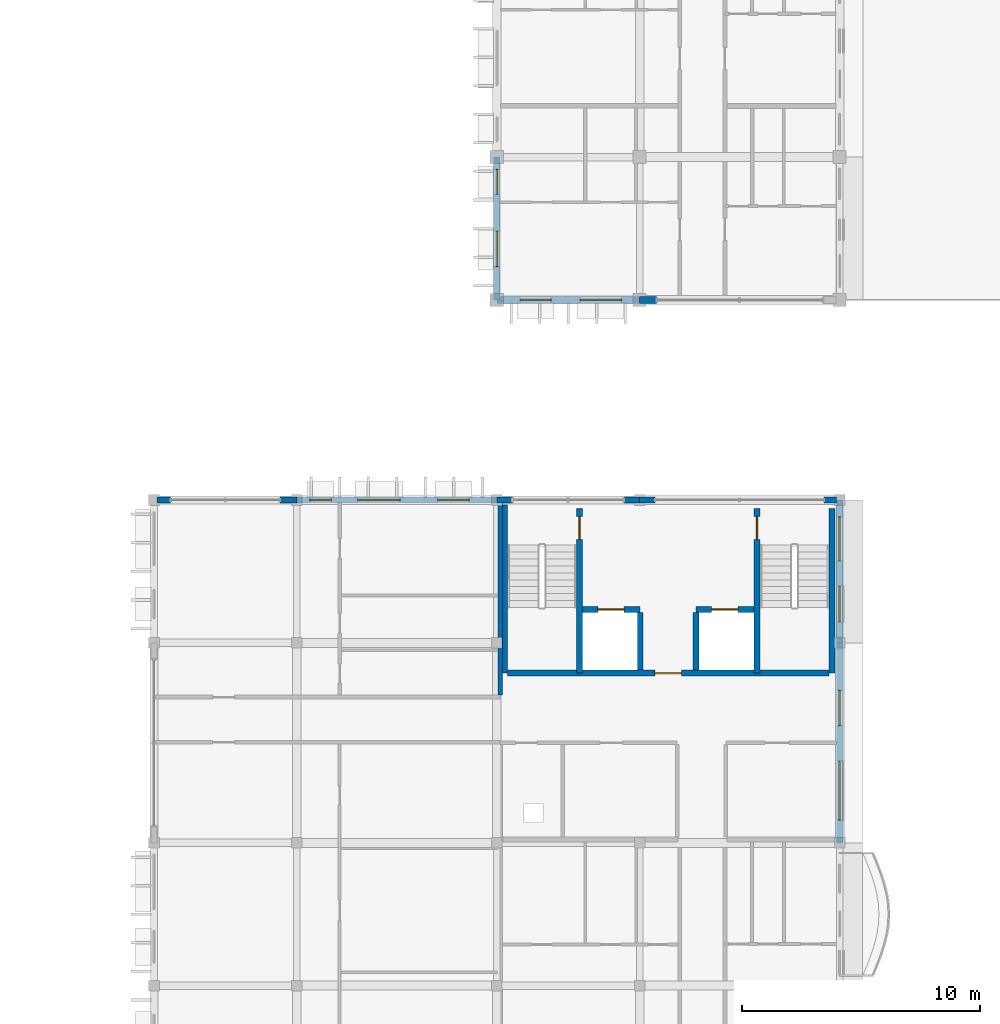
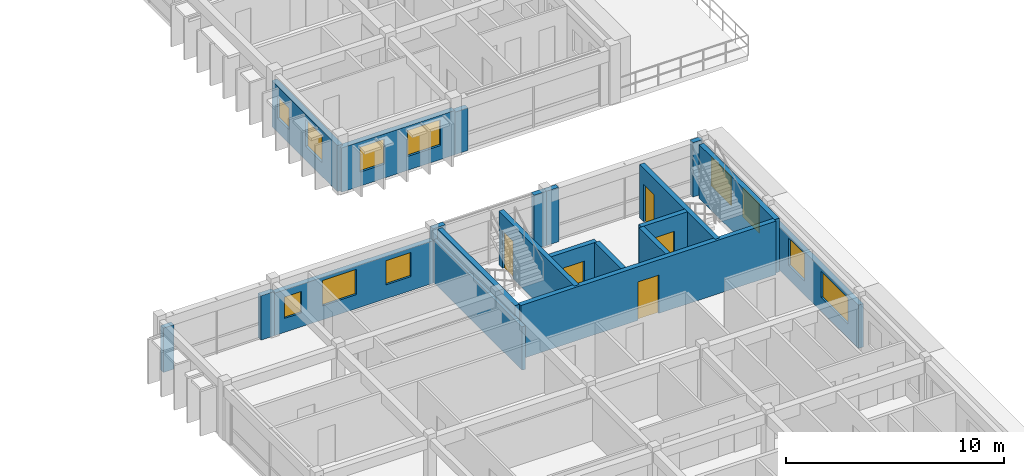
# One storey, part 41 of 68: 22 walls, 11 windows, 5 doors, 16 openings.
"""IFC4 building model written with IfcOpenShell, lengths in metres."""

from ifc_helpers import new_model, si_unit, direction, frame, frame_2d, origin, place, context, subcontext, project, spatial, rectangle, extrude, material, layer, layer_set, type_object, element, fill, save


model = new_model("IFC4")

# Units and contexts
model_context = context("Model", 3, precision=1e-05, world=origin(), true_north=direction((0.0, 1.0)))
body_context = subcontext(model_context, "Body", "Model", "MODEL_VIEW")
ifc_project = project(units=[si_unit("LENGTHUNIT", "METRE"), si_unit("AREAUNIT", "SQUARE_METRE"), si_unit("VOLUMEUNIT", "CUBIC_METRE"), si_unit("PLANEANGLEUNIT", "RADIAN"), si_unit("MASSUNIT", "GRAM", prefix="KILO"), si_unit("THERMODYNAMICTEMPERATUREUNIT", "KELVIN")], contexts=[model_context])

# Site, building, storey
site_placement = place(None, origin())
site = spatial("IfcSite", under=ifc_project, at=site_placement, CompositionType="ELEMENT")
building_placement = place(site_placement, origin())
building = spatial("IfcBuilding", under=site, at=building_placement, Name="Thalorik Housing Commons", CompositionType="ELEMENT")
storey_placement = place(building_placement, frame((0.0, 0.0, 24.60009765625)))
storey = spatial("IfcBuildingStorey", under=building, at=storey_placement, Name="L07", CompositionType="ELEMENT", Elevation=24.60009765625)

# Wall, opening, door
ifc_material_1 = material(Name="Concrete C40/50", Category="concrete")
ifc_layer_1 = layer(ifc_material_1, 0.25, Name="Concrete C40/50", Category="concrete")
ifc_layer_set_1 = layer_set([ifc_layer_1], Name="Concrete C40/50")
wall_type_1 = type_object("IfcWallType", Name="ARC-WAL-CORE-250", PredefinedType="SHEAR", material=ifc_layer_set_1)
wall_1_placement = place(storey_placement, frame((155.875, 71.64990234375, 0.0), z_axis=(0.0, 0.0, 1.0), x_axis=(0.0, -1.0, 0.0)))
wall_1 = element("IfcWall", 1, at=wall_1_placement, inside=storey, type_object=wall_type_1, Name="L07 Core D Stair 1 Shear Wall", PredefinedType="SHEAR", context=body_context, shape_type="SweptSolid", body=[
    extrude(rectangle(XDim=6.9248046875, YDim=0.25, at=frame_2d((3.46240234375, 0.0))), origin(), (0.0, 0.0, 1.0), 3.0),
])
opening_1_placement = place(wall_1_placement, frame((0.35009765625, 0.0, 0.0)))
opening_1 = element("IfcOpeningElement", 2, at=opening_1_placement, cuts=wall_1, Name="Opening ID-0409", PredefinedType="OPENING", context=body_context, shape_type="SweptSolid", body=[
    extrude(rectangle(XDim=0.949951171875, YDim=2.10009765625, at=frame_2d((0.47509765625, 1.050048828125))), frame((0.0, 0.135009765625, 0.0), z_axis=(0.0, -1.0, 0.0), x_axis=(1.0, 0.0, 0.0)), (0.0, 0.0, 1.0), 0.27001953125),
])
ifc_material_2 = material(Name="Steel S355", Category="steel")
door_type_1 = type_object("IfcDoorType", Name="ARC-DR-FD60-950", OperationType="NOTDEFINED", PredefinedType="DOOR", material=ifc_material_2)
door_1_placement = place(opening_1_placement, origin())
door_1 = element("IfcDoor", 3, at=door_1_placement, inside=storey, type_object=door_type_1, Name="L07 Stair ST-D1 Fire Door", OperationType="SINGLE_SWING_RIGHT", OverallHeight=2.10009765625, OverallWidth=0.949951171875, PredefinedType="DOOR", context=body_context, shape_type="SweptSolid", body=[
    extrude(rectangle(XDim=0.949951171875, YDim=2.10009765625, at=frame_2d((0.47509765625, 1.050048828125))), frame((0.0, 0.02490234375, 0.0), z_axis=(0.0, -1.0, 0.0), x_axis=(1.0, 0.0, 0.0)), (0.0, 0.0, 1.0), 0.050048828125),
])
fill(opening_1, door_1)

# Walls
wall_2_placement = place(storey_placement, frame((152.72509765625, 71.800048828125, 0.0), z_axis=(0.0, 0.0, 1.0), x_axis=(0.0, -1.0, 0.0)))
element("IfcWall", 4, at=wall_2_placement, inside=storey, type_object=wall_type_1, Name="L07 Core D Stair 1 Outer Shear Wall", PredefinedType="SHEAR", context=body_context, shape_type="SweptSolid", body=[
    extrude(rectangle(XDim=7.074951171875, YDim=0.25, at=frame_2d((3.53759765625, 0.0))), origin(), (0.0, 0.0, 1.0), 3.0),
])
wall_3_placement = place(storey_placement, frame((166.47509765625, 71.64990234375, 0.0), z_axis=(0.0, 0.0, 1.0), x_axis=(0.0, -1.0, 0.0)))
element("IfcWall", 5, at=wall_3_placement, inside=storey, type_object=wall_type_1, Name="L07 Core D Stair 2 Outer Shear Wall", PredefinedType="SHEAR", context=body_context, shape_type="SweptSolid", body=[
    extrude(rectangle(XDim=6.9248046875, YDim=0.25, at=frame_2d((3.46240234375, 0.0))), origin(), (0.0, 0.0, 1.0), 3.0),
])

# Wall, opening, door
wall_4_placement = place(storey_placement, frame((163.324951171875, 71.64990234375, 0.0), z_axis=(0.0, 0.0, 1.0), x_axis=(0.0, -1.0, 0.0)))
wall_4 = element("IfcWall", 6, at=wall_4_placement, inside=storey, type_object=wall_type_1, Name="L07 Core D Stair 2 Shear Wall", PredefinedType="SHEAR", context=body_context, shape_type="SweptSolid", body=[
    extrude(rectangle(XDim=6.9248046875, YDim=0.25, at=frame_2d((3.46240234375, 0.0))), origin(), (0.0, 0.0, 1.0), 3.0),
])
opening_2_placement = place(wall_4_placement, frame((0.35009765625, 0.0, 0.0)))
opening_2 = element("IfcOpeningElement", 7, at=opening_2_placement, cuts=wall_4, Name="Opening ID-0410", PredefinedType="OPENING", context=body_context, shape_type="SweptSolid", body=[
    extrude(rectangle(XDim=0.949951171875, YDim=2.10009765625, at=frame_2d((0.47509765625, 1.050048828125))), frame((0.0, 0.135009765625, 0.0), z_axis=(0.0, -1.0, 0.0), x_axis=(1.0, 0.0, 0.0)), (0.0, 0.0, 1.0), 0.27001953125),
])
door_2_placement = place(opening_2_placement, origin())
door_2 = element("IfcDoor", 8, at=door_2_placement, inside=storey, type_object=door_type_1, Name="L07 Stair ST-D2 Fire Door", OperationType="SINGLE_SWING_LEFT", OverallHeight=2.10009765625, OverallWidth=0.949951171875, PredefinedType="DOOR", context=body_context, shape_type="SweptSolid", body=[
    extrude(rectangle(XDim=0.949951171875, YDim=2.10009765625, at=frame_2d((0.47509765625, 1.050048828125))), frame((0.0, 0.02490234375, 0.0), z_axis=(0.0, -1.0, 0.0), x_axis=(1.0, 0.0, 0.0)), (0.0, 0.0, 1.0), 0.050048828125),
])
fill(opening_2, door_2)

wall_5_placement = place(storey_placement, frame((156.0, 67.39990234375, 0.0), z_axis=(0.0, 0.0, 1.0), x_axis=(1.0, 0.0, 0.0)))
wall_5 = element("IfcWall", 9, at=wall_5_placement, inside=storey, type_object=wall_type_1, Name="L07 Lift LP-D1 Front Shaft Wall", PredefinedType="SHEAR", context=body_context, shape_type="SweptSolid", body=[
    extrude(rectangle(XDim=2.425048828125, YDim=0.25, at=frame_2d((1.21240234375, 0.0))), origin(), (0.0, 0.0, 1.0), 3.0),
])
opening_3_placement = place(wall_5_placement, frame((0.64990234375, 0.0, 0.0)))
opening_3 = element("IfcOpeningElement", 10, at=opening_3_placement, cuts=wall_5, Name="Opening LD-LP-D1-L07", PredefinedType="OPENING", context=body_context, shape_type="SweptSolid", body=[
    extrude(rectangle(XDim=1.10009765625, YDim=2.14990234375, at=frame_2d((0.550048828125, 1.074951171875))), frame((0.0, 0.135009765625, 0.0), z_axis=(0.0, -1.0, 0.0), x_axis=(1.0, 0.0, 0.0)), (0.0, 0.0, 1.0), 0.27001953125),
])
door_type_2 = type_object("IfcDoorType", Name="ARC-DR-LIFT-1100", OperationType="NOTDEFINED", PredefinedType="DOOR", material=ifc_material_2)
door_3_placement = place(opening_3_placement, origin())
door_3 = element("IfcDoor", 11, at=door_3_placement, inside=storey, type_object=door_type_2, Name="L07 Lift LP-D1 Landing Door", OperationType="SLIDING_TO_LEFT", OverallHeight=2.14990234375, OverallWidth=1.10009765625, PredefinedType="DOOR", context=body_context, shape_type="SweptSolid", body=[
    extrude(rectangle(XDim=1.10009765625, YDim=2.14990234375, at=frame_2d((0.550048828125, 1.074951171875))), frame((0.0, 0.02490234375, 0.0), z_axis=(0.0, -1.0, 0.0), x_axis=(1.0, 0.0, 0.0)), (0.0, 0.0, 1.0), 0.050048828125),
])
fill(opening_3, door_3)

wall_6_placement = place(storey_placement, frame((160.77490234375, 67.39990234375, 0.0), z_axis=(0.0, 0.0, 1.0), x_axis=(1.0, 0.0, 0.0)))
wall_6 = element("IfcWall", 12, at=wall_6_placement, inside=storey, type_object=wall_type_1, Name="L07 Lift LP-D2 Front Shaft Wall", PredefinedType="SHEAR", context=body_context, shape_type="SweptSolid", body=[
    extrude(rectangle(XDim=2.425048828125, YDim=0.25, at=frame_2d((1.21240234375, 0.0))), origin(), (0.0, 0.0, 1.0), 3.0),
])
opening_4_placement = place(wall_6_placement, frame((0.64990234375, 0.0, 0.0)))
opening_4 = element("IfcOpeningElement", 13, at=opening_4_placement, cuts=wall_6, Name="Opening LD-LP-D2-L07", PredefinedType="OPENING", context=body_context, shape_type="SweptSolid", body=[
    extrude(rectangle(XDim=1.10009765625, YDim=2.14990234375, at=frame_2d((0.550048828125, 1.074951171875))), frame((0.0, 0.135009765625, 0.0), z_axis=(0.0, -1.0, 0.0), x_axis=(1.0, 0.0, 0.0)), (0.0, 0.0, 1.0), 0.27001953125),
])
door_4_placement = place(opening_4_placement, origin())
door_4 = element("IfcDoor", 14, at=door_4_placement, inside=storey, type_object=door_type_2, Name="L07 Lift LP-D2 Landing Door", OperationType="SLIDING_TO_LEFT", OverallHeight=2.14990234375, OverallWidth=1.10009765625, PredefinedType="DOOR", context=body_context, shape_type="SweptSolid", body=[
    extrude(rectangle(XDim=1.10009765625, YDim=2.14990234375, at=frame_2d((0.550048828125, 1.074951171875))), frame((0.0, 0.02490234375, 0.0), z_axis=(0.0, -1.0, 0.0), x_axis=(1.0, 0.0, 0.0)), (0.0, 0.0, 1.0), 0.050048828125),
])
fill(opening_4, door_4)

# Walls
for number, where, z_axis, x_axis, name in (
    (15, (158.425048828125, 67.27490234375, 0.0), (0.0, 0.0, 1.0), (0.0, -1.0, 0.0), "L07 Lift 1 Cheek Wall"),
    (16, (160.77490234375, 67.27490234375, 0.0), (0.0, 0.0, 1.0), (0.0, -1.0, 0.0), "L07 Lift 2 Cheek Wall"),
):
    element("IfcWall", number, at=place(storey_placement, frame(where, z_axis=z_axis, x_axis=x_axis)), inside=storey, type_object=wall_type_1, Name=name, PredefinedType="SHEAR", context=body_context, shape_type="SweptSolid", body=[
        extrude(rectangle(XDim=2.4248046875, YDim=0.25, at=frame_2d((1.21240234375, 0.0))), origin(), (0.0, 0.0, 1.0), 3.0),
    ])

# Wall, opening, door
wall_7_placement = place(storey_placement, frame((152.85009765625, 64.72509765625, 0.0), z_axis=(0.0, 0.0, 1.0), x_axis=(1.0, 0.0, 0.0)))
wall_7 = element("IfcWall", 17, at=wall_7_placement, inside=storey, type_object=wall_type_1, Name="L07 Core D Spine Shear Wall", PredefinedType="SHEAR", context=body_context, shape_type="SweptSolid", body=[
    extrude(rectangle(XDim=13.5, YDim=0.25, at=frame_2d((6.75, 0.0))), origin(), (0.0, 0.0, 1.0), 3.0),
])
opening_5_placement = place(wall_7_placement, frame((6.199951171875, 0.0, 0.0)))
opening_5 = element("IfcOpeningElement", 18, at=opening_5_placement, cuts=wall_7, Name="Opening ID-0413", PredefinedType="OPENING", context=body_context, shape_type="SweptSolid", body=[
    extrude(rectangle(XDim=1.10009765625, YDim=2.14990234375, at=frame_2d((0.550048828125, 1.074951171875))), frame((0.0, 0.135009765625, 0.0), z_axis=(0.0, -1.0, 0.0), x_axis=(1.0, 0.0, 0.0)), (0.0, 0.0, 1.0), 0.27001953125),
])
door_type_3 = type_object("IfcDoorType", Name="ARC-DR-FD60-1100", OperationType="NOTDEFINED", PredefinedType="DOOR", material=ifc_material_2)
door_5_placement = place(opening_5_placement, origin())
door_5 = element("IfcDoor", 19, at=door_5_placement, inside=storey, type_object=door_type_3, Name="L07 Core D Lobby Fire Door", OperationType="SINGLE_SWING_RIGHT", OverallHeight=2.14990234375, OverallWidth=1.10009765625, PredefinedType="DOOR", context=body_context, shape_type="SweptSolid", body=[
    extrude(rectangle(XDim=1.10009765625, YDim=2.14990234375, at=frame_2d((0.550048828125, 1.074951171875))), frame((0.0, 0.02490234375, 0.0), z_axis=(0.0, -1.0, 0.0), x_axis=(1.0, 0.0, 0.0)), (0.0, 0.0, 1.0), 0.050048828125),
])
fill(opening_5, door_5)

# Wall, openings, windows
ifc_material_3 = material(Name="White precast concrete C40/50", Category="concrete")
ifc_layer_2 = layer(ifc_material_3, 0.264892578125, Name="White precast concrete C40/50", Category="concrete")
ifc_layer_set_2 = layer_set([ifc_layer_2], Name="White precast concrete C40/50")
wall_type_2 = type_object("IfcWallType", Name="ARC-WAL-EXT-265", PredefinedType="STANDARD", material=ifc_layer_set_2)
wall_8_placement = place(storey_placement, frame((152.39990234375, 72.0, 0.0), z_axis=(0.0, 0.0, 1.0), x_axis=(-1.0, 0.0, 0.0)))
wall_8 = element("IfcWall", 20, at=wall_8_placement, inside=storey, type_object=wall_type_2, Name="L07 Exterior Wall WAL-EXT-L07-D-1243", PredefinedType="STANDARD", context=body_context, shape_type="SweptSolid", body=[
    extrude(rectangle(XDim=8.39990234375, YDim=0.264892578125, at=frame_2d((4.199951171875, 0.0))), origin(), (0.0, 0.0, 1.0), 2.375),
])
opening_6_placement = place(wall_8_placement, frame((1.164794921875, 0.0, 0.780029296875)))
opening_6 = element("IfcOpeningElement", 21, at=opening_6_placement, cuts=wall_8, Name="Opening W-48", PredefinedType="OPENING", context=body_context, shape_type="SweptSolid", body=[
    extrude(rectangle(XDim=1.320068359375, YDim=1.35009765625, at=frame_2d((0.66015625, 0.675048828125))), frame((0.0, 0.142578125, 0.0), z_axis=(0.0, -1.0, 0.0), x_axis=(1.0, 0.0, 0.0)), (0.0, 0.0, 1.0), 0.284912109375),
])
opening_7_placement = place(wall_8_placement, frame((4.064697265625, 0.0, 0.780029296875)))
opening_7 = element("IfcOpeningElement", 22, at=opening_7_placement, cuts=wall_8, Name="Opening W-57", PredefinedType="OPENING", context=body_context, shape_type="SweptSolid", body=[
    extrude(rectangle(XDim=1.780029296875, YDim=1.419921875, at=frame_2d((0.89013671875, 0.7099609375))), frame((0.0, 0.142578125, 0.0), z_axis=(0.0, -1.0, 0.0), x_axis=(1.0, 0.0, 0.0)), (0.0, 0.0, 1.0), 0.284912109375),
])
opening_8_placement = place(wall_8_placement, frame((6.94970703125, 0.0, 0.780029296875)))
opening_8 = element("IfcOpeningElement", 23, at=opening_8_placement, cuts=wall_8, Name="Opening W-01", PredefinedType="OPENING", context=body_context, shape_type="SweptSolid", body=[
    extrude(rectangle(XDim=0.89990234375, YDim=1.199951171875, at=frame_2d((0.449951171875, 0.60009765625))), frame((0.0, 0.142578125, 0.0), z_axis=(0.0, -1.0, 0.0), x_axis=(1.0, 0.0, 0.0)), (0.0, 0.0, 1.0), 0.284912109375),
])
ifc_material_4 = material(Name="Anodised aluminium and solar-control low-E glass", Category="aluminium")
window_type_1 = type_object("IfcWindowType", Name="ARC-WIN-01", PartitioningType="SINGLE_PANEL", PredefinedType="WINDOW", material=ifc_material_4)
window_1_placement = place(opening_8_placement, origin())
window_1 = element("IfcWindow", 24, at=window_1_placement, inside=storey, type_object=window_type_1, Name="L07 Facade Window 2268", OverallHeight=1.199951171875, OverallWidth=0.89990234375, PartitioningType="SINGLE_PANEL", PredefinedType="WINDOW", context=body_context, shape_type="SweptSolid", body=[
    extrude(rectangle(XDim=0.89990234375, YDim=1.199951171875, at=frame_2d((0.449951171875, 0.60009765625))), frame((0.0, 0.030029296875, 0.0), z_axis=(0.0, -1.0, 0.0), x_axis=(1.0, 0.0, 0.0)), (0.0, 0.0, 1.0), 0.06005859375),
])
fill(opening_8, window_1)
window_type_2 = type_object("IfcWindowType", Name="ARC-WIN-48", PartitioningType="SINGLE_PANEL", PredefinedType="WINDOW", material=ifc_material_4)
window_2_placement = place(opening_6_placement, origin())
window_2 = element("IfcWindow", 25, at=window_2_placement, inside=storey, type_object=window_type_2, Name="L07 Facade Window 2266", OverallHeight=1.35009765625, OverallWidth=1.320068359375, PartitioningType="SINGLE_PANEL", PredefinedType="WINDOW", context=body_context, shape_type="SweptSolid", body=[
    extrude(rectangle(XDim=1.320068359375, YDim=1.35009765625, at=frame_2d((0.66015625, 0.675048828125))), frame((0.0, 0.030029296875, 0.0), z_axis=(0.0, -1.0, 0.0), x_axis=(1.0, 0.0, 0.0)), (0.0, 0.0, 1.0), 0.06005859375),
])
fill(opening_6, window_2)
window_type_3 = type_object("IfcWindowType", Name="ARC-WIN-57", PartitioningType="DOUBLE_PANEL_VERTICAL", PredefinedType="WINDOW", material=ifc_material_4)
window_3_placement = place(opening_7_placement, origin())
window_3 = element("IfcWindow", 26, at=window_3_placement, inside=storey, type_object=window_type_3, Name="L07 Facade Window 2267", OverallHeight=1.419921875, OverallWidth=1.780029296875, PartitioningType="DOUBLE_PANEL_VERTICAL", PredefinedType="WINDOW", context=body_context, shape_type="SweptSolid", body=[
    extrude(rectangle(XDim=1.780029296875, YDim=1.419921875, at=frame_2d((0.89013671875, 0.7099609375))), frame((0.0, 0.030029296875, 0.0), z_axis=(0.0, -1.0, 0.0), x_axis=(1.0, 0.0, 0.0)), (0.0, 0.0, 1.0), 0.06005859375),
])
fill(opening_7, window_3)

# Walls
wall_9_placement = place(storey_placement, frame((144.0, 72.0, 0.0), z_axis=(0.0, 0.0, 1.0), x_axis=(-1.0, 0.0, 0.0)))
element("IfcWall", 27, at=wall_9_placement, inside=storey, type_object=wall_type_2, Name="L07 Exterior Wall WAL-PIERL-L07-D-1244", PredefinedType="STANDARD", context=body_context, shape_type="SweptSolid", body=[
    extrude(rectangle(XDim=0.699951171875, YDim=0.264892578125, at=frame_2d((0.35009765625, 0.0))), origin(), (0.0, 0.0, 1.0), 2.474853515625),
])
wall_10_placement = place(storey_placement, frame((138.699951171875, 72.0, 0.0), z_axis=(0.0, 0.0, 1.0), x_axis=(-1.0, 0.0, 0.0)))
element("IfcWall", 28, at=wall_10_placement, inside=storey, type_object=wall_type_2, Name="L07 Exterior Wall WAL-PIERR-L07-D-1244", PredefinedType="STANDARD", context=body_context, shape_type="SweptSolid", body=[
    extrude(rectangle(XDim=0.5654296875, YDim=0.264892578125, at=frame_2d((0.28271484375, 0.0))), origin(), (0.0, 0.0, 1.0), 2.474853515625),
])

# Wall, openings, windows
wall_11_placement = place(storey_placement, frame((166.800048828125, 57.60009765625, 0.0), z_axis=(0.0, 0.0, 1.0), x_axis=(0.0, 1.0, 0.0)))
wall_11 = element("IfcWall", 29, at=wall_11_placement, inside=storey, type_object=wall_type_2, Name="L07 Exterior Wall WAL-EXT-L07-D-1257", PredefinedType="STANDARD", context=body_context, shape_type="SweptSolid", body=[
    extrude(rectangle(XDim=8.39990234375, YDim=0.264892578125, at=frame_2d((4.199951171875, 0.0))), origin(), (0.0, 0.0, 1.0), 2.4248046875),
])
opening_9_placement = place(wall_11_placement, frame((0.955078125, 0.0, 0.780029296875)))
opening_9 = element("IfcOpeningElement", 30, at=opening_9_placement, cuts=wall_11, Name="Opening W-71", PredefinedType="OPENING", context=body_context, shape_type="SweptSolid", body=[
    extrude(rectangle(XDim=2.47998046875, YDim=1.4599609375, at=frame_2d((1.239990234375, 0.72998046875))), frame((0.0, 0.142578125, 0.0), z_axis=(0.0, -1.0, 0.0), x_axis=(1.0, 0.0, 0.0)), (0.0, 0.0, 1.0), 0.284912109375),
])
opening_10_placement = place(wall_11_placement, frame((4.922607421875, 0.0, 0.780029296875)))
opening_10 = element("IfcOpeningElement", 31, at=opening_10_placement, cuts=wall_11, Name="Opening W-51", PredefinedType="OPENING", context=body_context, shape_type="SweptSolid", body=[
    extrude(rectangle(XDim=1.47998046875, YDim=1.52001953125, at=frame_2d((0.739990234375, 0.760009765625))), frame((0.0, 0.142578125, 0.0), z_axis=(0.0, -1.0, 0.0), x_axis=(1.0, 0.0, 0.0)), (0.0, 0.0, 1.0), 0.284912109375),
])
window_type_4 = type_object("IfcWindowType", Name="ARC-WIN-51", PartitioningType="SINGLE_PANEL", PredefinedType="WINDOW", material=ifc_material_4)
window_4_placement = place(opening_10_placement, origin())
window_4 = element("IfcWindow", 32, at=window_4_placement, inside=storey, type_object=window_type_4, Name="L07 Facade Window 2292", OverallHeight=1.52001953125, OverallWidth=1.47998046875, PartitioningType="SINGLE_PANEL", PredefinedType="WINDOW", context=body_context, shape_type="SweptSolid", body=[
    extrude(rectangle(XDim=1.47998046875, YDim=1.52001953125, at=frame_2d((0.739990234375, 0.760009765625))), frame((0.0, 0.030029296875, 0.0), z_axis=(0.0, -1.0, 0.0), x_axis=(1.0, 0.0, 0.0)), (0.0, 0.0, 1.0), 0.06005859375),
])
fill(opening_10, window_4)
window_type_5 = type_object("IfcWindowType", Name="ARC-WIN-71", PartitioningType="DOUBLE_PANEL_VERTICAL", PredefinedType="WINDOW", material=ifc_material_4)
window_5_placement = place(opening_9_placement, origin())
window_5 = element("IfcWindow", 33, at=window_5_placement, inside=storey, type_object=window_type_5, Name="L07 Facade Window 2291", OverallHeight=1.4599609375, OverallWidth=2.47998046875, PartitioningType="DOUBLE_PANEL_VERTICAL", PredefinedType="WINDOW", context=body_context, shape_type="SweptSolid", body=[
    extrude(rectangle(XDim=2.47998046875, YDim=1.4599609375, at=frame_2d((1.239990234375, 0.72998046875))), frame((0.0, 0.030029296875, 0.0), z_axis=(0.0, -1.0, 0.0), x_axis=(1.0, 0.0, 0.0)), (0.0, 0.0, 1.0), 0.06005859375),
])
fill(opening_9, window_5)

wall_12_placement = place(storey_placement, frame((166.800048828125, 66.0, 0.0), z_axis=(0.0, 0.0, 1.0), x_axis=(0.0, 1.0, 0.0)))
wall_12 = element("IfcWall", 34, at=wall_12_placement, inside=storey, type_object=wall_type_2, Name="L07 Exterior Wall WAL-EXT-L07-D-1258", PredefinedType="STANDARD", context=body_context, shape_type="SweptSolid", body=[
    extrude(rectangle(XDim=6.0, YDim=0.264892578125, at=frame_2d((3.0, 0.0))), origin(), (0.0, 0.0, 1.0), 2.574951171875),
])
opening_11_placement = place(wall_12_placement, frame((0.8798828125, 0.0, 0.780029296875)))
opening_11 = element("IfcOpeningElement", 35, at=opening_11_placement, cuts=wall_12, Name="Opening W-11", PredefinedType="OPENING", context=body_context, shape_type="SweptSolid", body=[
    extrude(rectangle(XDim=1.5, YDim=1.64990234375, at=frame_2d((0.75, 0.824951171875))), frame((0.0, 0.142578125, 0.0), z_axis=(0.0, -1.0, 0.0), x_axis=(1.0, 0.0, 0.0)), (0.0, 0.0, 1.0), 0.284912109375),
])
opening_12_placement = place(wall_12_placement, frame((3.445068359375, 0.0, 0.780029296875)))
opening_12 = element("IfcOpeningElement", 36, at=opening_12_placement, cuts=wall_12, Name="Opening W-20", PredefinedType="OPENING", context=body_context, shape_type="SweptSolid", body=[
    extrude(rectangle(XDim=1.85009765625, YDim=1.60009765625, at=frame_2d((0.925048828125, 0.800048828125))), frame((0.0, 0.142578125, 0.0), z_axis=(0.0, -1.0, 0.0), x_axis=(1.0, 0.0, 0.0)), (0.0, 0.0, 1.0), 0.284912109375),
])
window_type_6 = type_object("IfcWindowType", Name="ARC-WIN-11", PartitioningType="SINGLE_PANEL", PredefinedType="WINDOW", material=ifc_material_4)
window_6_placement = place(opening_11_placement, origin())
window_6 = element("IfcWindow", 37, at=window_6_placement, inside=storey, type_object=window_type_6, Name="L07 Facade Window 2293", OverallHeight=1.64990234375, OverallWidth=1.5, PartitioningType="SINGLE_PANEL", PredefinedType="WINDOW", context=body_context, shape_type="SweptSolid", body=[
    extrude(rectangle(XDim=1.5, YDim=1.64990234375, at=frame_2d((0.75, 0.824951171875))), frame((0.0, 0.030029296875, 0.0), z_axis=(0.0, -1.0, 0.0), x_axis=(1.0, 0.0, 0.0)), (0.0, 0.0, 1.0), 0.06005859375),
])
fill(opening_11, window_6)
window_type_7 = type_object("IfcWindowType", Name="ARC-WIN-20", PartitioningType="DOUBLE_PANEL_VERTICAL", PredefinedType="WINDOW", material=ifc_material_4)
window_7_placement = place(opening_12_placement, origin())
window_7 = element("IfcWindow", 38, at=window_7_placement, inside=storey, type_object=window_type_7, Name="L07 Facade Window 2294", OverallHeight=1.60009765625, OverallWidth=1.85009765625, PartitioningType="DOUBLE_PANEL_VERTICAL", PredefinedType="WINDOW", context=body_context, shape_type="SweptSolid", body=[
    extrude(rectangle(XDim=1.85009765625, YDim=1.60009765625, at=frame_2d((0.925048828125, 0.800048828125))), frame((0.0, 0.030029296875, 0.0), z_axis=(0.0, -1.0, 0.0), x_axis=(1.0, 0.0, 0.0)), (0.0, 0.0, 1.0), 0.06005859375),
])
fill(opening_12, window_7)

# Walls
wall_13_placement = place(storey_placement, frame((166.66552734375, 72.0, 0.0), z_axis=(0.0, 0.0, 1.0), x_axis=(-1.0, 0.0, 0.0)))
element("IfcWall", 39, at=wall_13_placement, inside=storey, type_object=wall_type_2, Name="L07 Exterior Wall WAL-PIERL-L07-D-1259", PredefinedType="STANDARD", context=body_context, shape_type="SweptSolid", body=[
    extrude(rectangle(XDim=0.515625, YDim=0.264892578125, at=frame_2d((0.2578125, 0.0))), origin(), (0.0, 0.0, 1.0), 3.039794921875),
])
wall_14_placement = place(storey_placement, frame((159.050048828125, 72.0, 0.0), z_axis=(0.0, 0.0, 1.0), x_axis=(-1.0, 0.0, 0.0)))
element("IfcWall", 40, at=wall_14_placement, inside=storey, type_object=wall_type_2, Name="L07 Exterior Wall WAL-PIERR-L07-D-1259", PredefinedType="STANDARD", context=body_context, shape_type="SweptSolid", body=[
    extrude(rectangle(XDim=0.650146484375, YDim=0.264892578125, at=frame_2d((0.3251953125, 0.0))), origin(), (0.0, 0.0, 1.0), 3.039794921875),
])
wall_15_placement = place(storey_placement, frame((158.39990234375, 72.0, 0.0), z_axis=(0.0, 0.0, 1.0), x_axis=(-1.0, 0.0, 0.0)))
element("IfcWall", 41, at=wall_15_placement, inside=storey, type_object=wall_type_2, Name="L07 Exterior Wall WAL-PIERL-L07-D-1260", PredefinedType="STANDARD", context=body_context, shape_type="SweptSolid", body=[
    extrude(rectangle(XDim=0.64990234375, YDim=0.264892578125, at=frame_2d((0.324951171875, 0.0))), origin(), (0.0, 0.0, 1.0), 3.039794921875),
])
wall_16_placement = place(storey_placement, frame((153.050048828125, 72.0, 0.0), z_axis=(0.0, 0.0, 1.0), x_axis=(-1.0, 0.0, 0.0)))
element("IfcWall", 42, at=wall_16_placement, inside=storey, type_object=wall_type_2, Name="L07 Exterior Wall WAL-PIERR-L07-D-1260", PredefinedType="STANDARD", context=body_context, shape_type="SweptSolid", body=[
    extrude(rectangle(XDim=0.650146484375, YDim=0.264892578125, at=frame_2d((0.3251953125, 0.0))), origin(), (0.0, 0.0, 1.0), 3.039794921875),
])

# Wall, openings, windows
ifc_layer_3 = layer(ifc_material_3, 0.2900390625, Name="White precast concrete C40/50", Category="concrete")
ifc_layer_set_3 = layer_set([ifc_layer_3], Name="White precast concrete C40/50")
wall_type_3 = type_object("IfcWallType", Name="ARC-WAL-EXT-290", PredefinedType="STANDARD", material=ifc_layer_set_3)
wall_17_placement = place(storey_placement, frame((152.39990234375, 86.39990234375, 0.0), z_axis=(0.0, 0.0, 1.0), x_axis=(0.0, -1.0, 0.0)))
wall_17 = element("IfcWall", 43, at=wall_17_placement, inside=storey, type_object=wall_type_3, Name="L07 Exterior Wall WAL-EXT-L07-B-0664", PredefinedType="STANDARD", context=body_context, shape_type="SweptSolid", body=[
    extrude(rectangle(XDim=6.0, YDim=0.2900390625, at=frame_2d((3.0, 0.0))), origin(), (0.0, 0.0, 1.0), 2.574951171875),
])
opening_13_placement = place(wall_17_placement, frame((0.517578125, 0.0, 0.780029296875)))
opening_13 = element("IfcOpeningElement", 44, at=opening_13_placement, cuts=wall_17, Name="Opening W-44", PredefinedType="OPENING", context=body_context, shape_type="SweptSolid", body=[
    extrude(rectangle(XDim=1.050048828125, YDim=1.199951171875, at=frame_2d((0.52490234375, 0.60009765625))), frame((0.0, 0.155029296875, 0.0), z_axis=(0.0, -1.0, 0.0), x_axis=(1.0, 0.0, 0.0)), (0.0, 0.0, 1.0), 0.31005859375),
])
opening_14_placement = place(wall_17_placement, frame((3.1025390625, 0.0, 0.780029296875)))
opening_14 = element("IfcOpeningElement", 45, at=opening_14_placement, cuts=wall_17, Name="Opening W-10", PredefinedType="OPENING", context=body_context, shape_type="SweptSolid", body=[
    extrude(rectangle(XDim=1.5, YDim=1.5, at=frame_2d((0.75, 0.75))), frame((0.0, 0.155029296875, 0.0), z_axis=(0.0, -1.0, 0.0), x_axis=(1.0, 0.0, 0.0)), (0.0, 0.0, 1.0), 0.31005859375),
])
window_type_8 = type_object("IfcWindowType", Name="ARC-WIN-10", PartitioningType="SINGLE_PANEL", PredefinedType="WINDOW", material=ifc_material_4)
window_8_placement = place(opening_14_placement, origin())
window_8 = element("IfcWindow", 46, at=window_8_placement, inside=storey, type_object=window_type_8, Name="L07 Facade Window 1216", OverallHeight=1.5, OverallWidth=1.5, PartitioningType="SINGLE_PANEL", PredefinedType="WINDOW", context=body_context, shape_type="SweptSolid", body=[
    extrude(rectangle(XDim=1.5, YDim=1.5, at=frame_2d((0.75, 0.75))), frame((0.0, 0.030029296875, 0.0), z_axis=(0.0, -1.0, 0.0), x_axis=(1.0, 0.0, 0.0)), (0.0, 0.0, 1.0), 0.06005859375),
])
fill(opening_14, window_8)
window_type_9 = type_object("IfcWindowType", Name="ARC-WIN-44", PartitioningType="SINGLE_PANEL", PredefinedType="WINDOW", material=ifc_material_4)
window_9_placement = place(opening_13_placement, origin())
window_9 = element("IfcWindow", 47, at=window_9_placement, inside=storey, type_object=window_type_9, Name="L07 Facade Window 1215", OverallHeight=1.199951171875, OverallWidth=1.050048828125, PartitioningType="SINGLE_PANEL", PredefinedType="WINDOW", context=body_context, shape_type="SweptSolid", body=[
    extrude(rectangle(XDim=1.050048828125, YDim=1.199951171875, at=frame_2d((0.52490234375, 0.60009765625))), frame((0.0, 0.030029296875, 0.0), z_axis=(0.0, -1.0, 0.0), x_axis=(1.0, 0.0, 0.0)), (0.0, 0.0, 1.0), 0.06005859375),
])
fill(opening_13, window_9)

wall_18_placement = place(storey_placement, frame((152.39990234375, 80.39990234375, 0.0), z_axis=(0.0, 0.0, 1.0), x_axis=(1.0, 0.0, 0.0)))
wall_18 = element("IfcWall", 48, at=wall_18_placement, inside=storey, type_object=wall_type_3, Name="L07 Exterior Wall WAL-EXT-L07-B-0665", PredefinedType="STANDARD", context=body_context, shape_type="SweptSolid", body=[
    extrude(rectangle(XDim=6.0, YDim=0.2900390625, at=frame_2d((3.0, 0.0))), origin(), (0.0, 0.0, 1.0), 2.474853515625),
])
opening_15_placement = place(wall_18_placement, frame((0.97998046875, 0.0, 0.780029296875)))
opening_15 = element("IfcOpeningElement", 49, at=opening_15_placement, cuts=wall_18, Name="Opening W-06", PredefinedType="OPENING", context=body_context, shape_type="SweptSolid", body=[
    extrude(rectangle(XDim=1.300048828125, YDim=1.39990234375, at=frame_2d((0.64990234375, 0.699951171875))), frame((0.0, 0.155029296875, 0.0), z_axis=(0.0, -1.0, 0.0), x_axis=(1.0, 0.0, 0.0)), (0.0, 0.0, 1.0), 0.31005859375),
])
opening_16_placement = place(wall_18_placement, frame((3.4951171875, 0.0, 0.780029296875)))
opening_16 = element("IfcOpeningElement", 50, at=opening_16_placement, cuts=wall_18, Name="Opening W-17", PredefinedType="OPENING", context=body_context, shape_type="SweptSolid", body=[
    extrude(rectangle(XDim=1.75, YDim=1.449951171875, at=frame_2d((0.875, 0.72509765625))), frame((0.0, 0.155029296875, 0.0), z_axis=(0.0, -1.0, 0.0), x_axis=(1.0, 0.0, 0.0)), (0.0, 0.0, 1.0), 0.31005859375),
])
window_type_10 = type_object("IfcWindowType", Name="ARC-WIN-06", PartitioningType="SINGLE_PANEL", PredefinedType="WINDOW", material=ifc_material_4)
window_10_placement = place(opening_15_placement, origin())
window_10 = element("IfcWindow", 51, at=window_10_placement, inside=storey, type_object=window_type_10, Name="L07 Facade Window 1217", OverallHeight=1.39990234375, OverallWidth=1.300048828125, PartitioningType="SINGLE_PANEL", PredefinedType="WINDOW", context=body_context, shape_type="SweptSolid", body=[
    extrude(rectangle(XDim=1.300048828125, YDim=1.39990234375, at=frame_2d((0.64990234375, 0.699951171875))), frame((0.0, 0.030029296875, 0.0), z_axis=(0.0, -1.0, 0.0), x_axis=(1.0, 0.0, 0.0)), (0.0, 0.0, 1.0), 0.06005859375),
])
fill(opening_15, window_10)
window_type_11 = type_object("IfcWindowType", Name="ARC-WIN-17", PartitioningType="DOUBLE_PANEL_VERTICAL", PredefinedType="WINDOW", material=ifc_material_4)
window_11_placement = place(opening_16_placement, origin())
window_11 = element("IfcWindow", 52, at=window_11_placement, inside=storey, type_object=window_type_11, Name="L07 Facade Window 1218", OverallHeight=1.449951171875, OverallWidth=1.75, PartitioningType="DOUBLE_PANEL_VERTICAL", PredefinedType="WINDOW", context=body_context, shape_type="SweptSolid", body=[
    extrude(rectangle(XDim=1.75, YDim=1.449951171875, at=frame_2d((0.875, 0.72509765625))), frame((0.0, 0.030029296875, 0.0), z_axis=(0.0, -1.0, 0.0), x_axis=(1.0, 0.0, 0.0)), (0.0, 0.0, 1.0), 0.06005859375),
])
fill(opening_16, window_11)

# Walls
wall_19_placement = place(storey_placement, frame((158.39990234375, 80.39990234375, 0.0), z_axis=(0.0, 0.0, 1.0), x_axis=(1.0, 0.0, 0.0)))
element("IfcWall", 53, at=wall_19_placement, inside=storey, type_object=wall_type_3, Name="L07 Exterior Wall WAL-PIERL-L07-B-0666", PredefinedType="STANDARD", context=body_context, shape_type="SweptSolid", body=[
    extrude(rectangle(XDim=0.7001953125, YDim=0.2900390625, at=frame_2d((0.35009765625, 0.0))), origin(), (0.0, 0.0, 1.0), 2.375),
])
ifc_material_5 = material(Name="Masonry acoustic blockwork wall", Category="masonry")
ifc_layer_4 = layer(ifc_material_5, 0.18505859375, Name="Masonry acoustic blockwork wall", Category="masonry")
ifc_layer_set_4 = layer_set([ifc_layer_4], Name="Masonry acoustic blockwork wall")
wall_type_4 = type_object("IfcWallType", Name="ARC-WAL-PARTY-185", PredefinedType="PARTITIONING", material=ifc_layer_set_4)
wall_20_placement = place(storey_placement, frame((152.5400390625, 63.804443359375, 0.0), z_axis=(0.0, 0.0, 1.0), x_axis=(0.0, 1.0, 0.0)))
element("IfcWall", 54, at=wall_20_placement, inside=storey, type_object=wall_type_4, Name="L07 Core End Wall B", PredefinedType="PARTITIONING", context=body_context, shape_type="SweptSolid", body=[
    extrude(rectangle(XDim=8.06103515625, YDim=0.18505859375, at=frame_2d((4.030517578125, 0.0))), origin(), (0.0, 0.0, 1.0), 2.4248046875),
])

save(model, "model.ifc")
